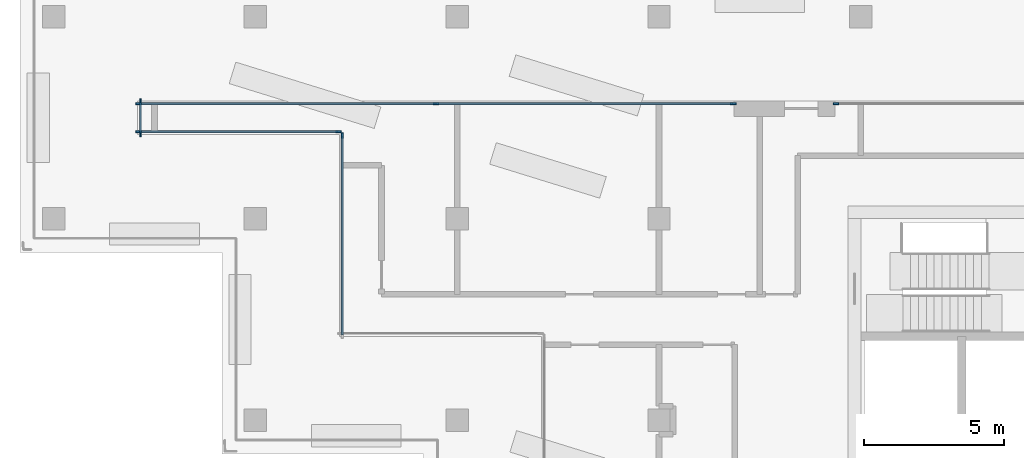
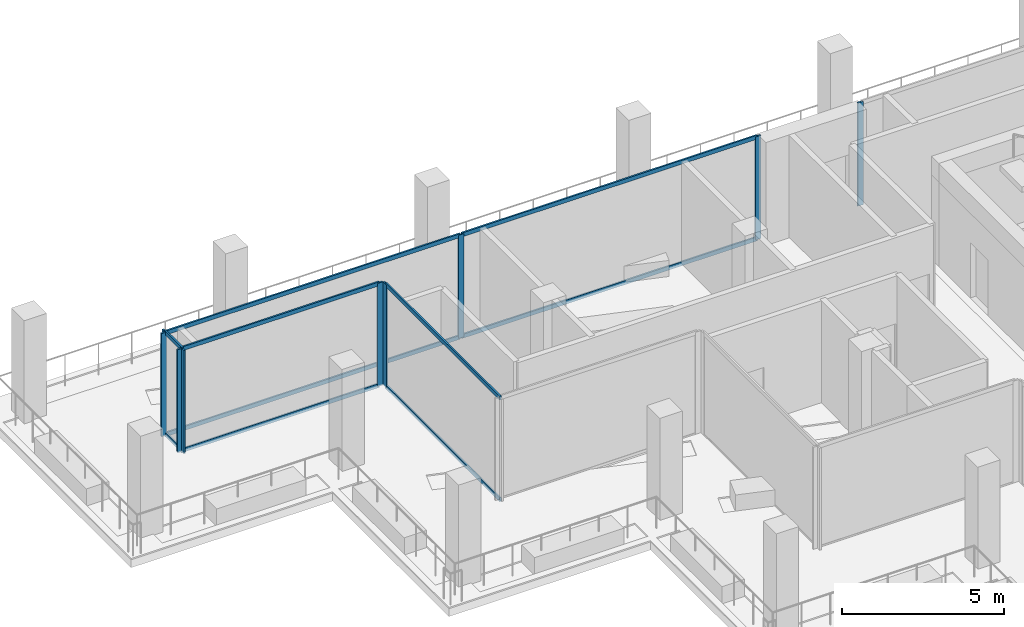
# One storey, part 5 of 20: 19 members, 5 elements without a shape of their own.
"""IFC4 building model written with IfcOpenShell, lengths in metres."""

import ifcopenshell
import ifcopenshell.guid

model = None  # the IFC model being written
_history = None  # IfcOwnerHistory: only IFC2X3 demands one
_inside = {}  # id of a spatial element -> (the spatial element, [elements in it])
_under = {}  # id of a project, library or spatial element -> (it, [spatial elements below it])
_declared = {}  # id of a project -> (the project, [libraries it declares])
_typed = {}  # id of a type object -> (the type object, [elements of that type])
_made_of = {}  # id of a material, layer set ... -> (it, [elements and type objects made of it])


def new_model(schema):
    """Start an empty IFC model of exactly this schema.

    Asked for "IFC4X3", IfcOpenShell would pick the latest addendum, in which some entities
    have other attributes; the version numbers below select the first issue.
    IFC2X3 requires an IfcOwnerHistory on every rooted entity: one is made here for all.
    """
    global model, _history
    if schema == "IFC4X3":
        model = ifcopenshell.file(schema_version=(4, 3, 0, 0))
    else:
        model = ifcopenshell.file(schema=schema)
    _inside.clear()
    _under.clear()
    _declared.clear()
    _typed.clear()
    _made_of.clear()
    _history = None
    if model.schema == "IFC2X3":
        org = make("IfcOrganization", Name="unknown")
        user = make(
            "IfcPersonAndOrganization",
            ThePerson=make("IfcPerson", FamilyName="unknown"),
            TheOrganization=org,
        )
        app = make(
            "IfcApplication",
            ApplicationDeveloper=org,
            Version="unknown",
            ApplicationFullName="unknown",
            ApplicationIdentifier="unknown",
        )
        _history = make(
            "IfcOwnerHistory",
            OwningUser=user,
            OwningApplication=app,
            ChangeAction="ADDED",
            CreationDate=0,
        )
    return model


def make(cls, **values):
    """One entity of the class cls with the attributes given. An attribute that is None is left unset."""
    return model.create_entity(
        cls, **{name: value for name, value in values.items() if value is not None}
    )


def rooted(cls, **values):
    """An entity with a GlobalId (a new one), such as an element, a storey or a relation."""
    return make(cls, GlobalId=ifcopenshell.guid.new(), OwnerHistory=_history, **values)


def si_unit(unit_type, name, prefix=None):
    """IfcSIUnit, for example si_unit("LENGTHUNIT", "METRE", prefix="MILLI")."""
    return make("IfcSIUnit", UnitType=unit_type, Prefix=prefix, Name=name)


def assignment(units):
    """IfcUnitAssignment: the units of a project."""
    return None if units is None else make("IfcUnitAssignment", Units=units)


def point(xyz):
    """IfcCartesianPoint."""
    return None if xyz is None else make("IfcCartesianPoint", Coordinates=xyz)


def direction(xyz):
    """IfcDirection."""
    return None if xyz is None else make("IfcDirection", DirectionRatios=xyz)


def frame(location, z_axis=None, x_axis=None):
    """IfcAxis2Placement3D, a coordinate frame: its origin and axes. An axis left out is left unset."""
    return make(
        "IfcAxis2Placement3D",
        Location=point(location),
        Axis=direction(z_axis),
        RefDirection=direction(x_axis),
    )


def frame_2d(location, x_axis=None):
    """IfcAxis2Placement2D, a coordinate frame in the plane: its origin and x axis."""
    return make(
        "IfcAxis2Placement2D", Location=point(location), RefDirection=direction(x_axis)
    )


def origin():
    """The frame at (0, 0, 0) with its axes left unset."""
    return frame((0.0, 0.0, 0.0))


def origin_2d():
    """The frame at (0, 0) in the plane with its x axis left unset."""
    return frame_2d((0.0, 0.0))


def place(relative_to, where):
    """IfcLocalPlacement: puts the frame where relative to a parent placement (None: the world)."""
    return make(
        "IfcLocalPlacement", PlacementRelTo=relative_to, RelativePlacement=where
    )


def context(
    kind, dimensions, precision=None, world=None, true_north=None, identifier=None
):
    """IfcGeometricRepresentationContext, for example the 3D "Model" context."""
    return make(
        "IfcGeometricRepresentationContext",
        ContextIdentifier=identifier,
        ContextType=kind,
        CoordinateSpaceDimension=dimensions,
        Precision=precision,
        WorldCoordinateSystem=world,
        TrueNorth=true_north,
    )


def subcontext(parent, identifier, kind, view, scale=None):
    """IfcGeometricRepresentationSubContext, for example "Body" below "Model"."""
    return make(
        "IfcGeometricRepresentationSubContext",
        ContextIdentifier=identifier,
        ContextType=kind,
        ParentContext=parent,
        TargetScale=scale,
        TargetView=view,
    )


def project(units=None, contexts=None):
    """IfcProject with its units and contexts."""
    return rooted(
        "IfcProject",
        Name="project",
        RepresentationContexts=contexts,
        UnitsInContext=assignment(units),
    )


def spatial(cls, under=None, at=None, **own):
    """A site, building, storey or space (cls), placed at a placement, below another one or the project."""
    s = rooted(cls, ObjectPlacement=at, **own)
    if under is not None:
        _under.setdefault(under.id(), (under, []))[1].append(s)
    return s


def profile(cls, at=None, kind="AREA", **sizes):
    """A parametric profile (cls). Its sizes go by their IFC names, for example OverallWidth=200.0."""
    return make(cls, ProfileType=kind, Position=at, **sizes)


def rectangle(**sizes):
    """IfcRectangleProfileDef."""
    return profile("IfcRectangleProfileDef", **sizes)


def extrude(swept, where, along, depth):
    """IfcExtrudedAreaSolid: the profile swept, set in the frame where, extruded along a direction by depth."""
    return make(
        "IfcExtrudedAreaSolid",
        SweptArea=swept,
        Position=where,
        ExtrudedDirection=direction(along),
        Depth=depth,
    )


def shape(context_of_items, identifier, shape_type, items):
    """IfcShapeRepresentation: the items that make up one representation, for example the "Body"."""
    return make(
        "IfcShapeRepresentation",
        ContextOfItems=context_of_items,
        RepresentationIdentifier=identifier,
        RepresentationType=shape_type,
        Items=items,
    )


def material(Name=None, Category=None):
    """IfcMaterial."""
    return make("IfcMaterial", Name=Name, Category=Category)


def material_profile(
    of_material, cross_section, Name=None, Category=None, Priority=None
):
    """IfcMaterialProfile: a cross section and its material."""
    return make(
        "IfcMaterialProfile",
        Name=Name,
        Material=of_material,
        Profile=cross_section,
        Priority=Priority,
        Category=Category,
    )


def profile_set(profiles, Name=None, composite=None):
    """IfcMaterialProfileSet."""
    return make(
        "IfcMaterialProfileSet",
        Name=Name,
        MaterialProfiles=profiles,
        CompositeProfile=composite,
    )


def made_of(thing, what):
    """Note that an element or type object is made of a material, layer set ...; save() writes the relation."""
    if what is not None:
        _made_of.setdefault(what.id(), (what, []))[1].append(thing)
    return thing


def type_object(cls, material=None, **own):
    """A type object (cls), such as IfcWallType, which elements share."""
    return made_of(rooted(cls, **own), material)


def element(
    cls,
    number,
    at=None,
    inside=None,
    cuts=None,
    type_object=None,
    material=None,
    context=None,
    identifier="Body",
    shape_type=None,
    held_by="IfcProductDefinitionShape",
    body=None,
    shapes=None,
    **own,
):
    """One element of the class cls, such as IfcWall. Its Tag is "e" and its number.

    at: its placement. inside: the storey or other place that contains it. cuts: it is an
    opening in that element (IfcRelVoidsElement). A single representation is given by context,
    identifier, shape_type and body (its items); several are given by shapes. held_by: the class
    of the entity that holds the representations. save() writes the other relations.
    """
    e = rooted(cls, Tag="e%d" % number, ObjectPlacement=at, **own)
    if body is not None:
        shapes = [shape(context, identifier, shape_type, body)]
    if shapes is not None:
        e.Representation = make(held_by, Representations=shapes)
    if inside is not None:
        _inside.setdefault(inside.id(), (inside, []))[1].append(e)
    if cuts is not None:
        rooted(
            "IfcRelVoidsElement", RelatingBuildingElement=cuts, RelatedOpeningElement=e
        )
    if type_object is not None:
        _typed.setdefault(type_object.id(), (type_object, []))[1].append(e)
    return made_of(e, material)


def aggregate(whole, parts):
    """IfcRelAggregates: a whole, such as a stair, and the parts it consists of."""
    return rooted("IfcRelAggregates", RelatingObject=whole, RelatedObjects=parts)


def save(model, path):
    """Write the relations noted so far, then the file.

    IfcRelAggregates (storeys below a building ...), IfcRelContainedInSpatialStructure (elements
    in a storey), IfcRelDefinesByType, IfcRelAssociatesMaterial and IfcRelDeclares: one each for
    every whole, place, type object, material and project.
    """
    for whole, parts in _under.values():
        aggregate(whole, parts)
    for where, things in _inside.values():
        rooted(
            "IfcRelContainedInSpatialStructure",
            RelatedElements=things,
            RelatingStructure=where,
        )
    for kind, things in _typed.values():
        rooted("IfcRelDefinesByType", RelatedObjects=things, RelatingType=kind)
    for what, things in _made_of.values():
        rooted("IfcRelAssociatesMaterial", RelatedObjects=things, RelatingMaterial=what)
    for by, libraries in _declared.values():
        rooted("IfcRelDeclares", RelatingContext=by, RelatedDefinitions=libraries)
    model.write(path)


model = new_model("IFC4")

# Units and contexts
model_context = context("Model", 3, precision=1e-05, world=origin(), true_north=direction((0.0, 1.0)))
body_context = subcontext(model_context, "Body", "Model", "MODEL_VIEW")
ifc_project = project(units=[si_unit("LENGTHUNIT", "METRE"), si_unit("AREAUNIT", "SQUARE_METRE"), si_unit("VOLUMEUNIT", "CUBIC_METRE"), si_unit("PLANEANGLEUNIT", "RADIAN"), si_unit("MASSUNIT", "GRAM", prefix="KILO")], contexts=[model_context])

# Site, building, storey
site_placement = place(None, origin())
site = spatial("IfcSite", under=ifc_project, at=site_placement, CompositionType="ELEMENT")
building_placement = place(site_placement, origin())
building = spatial("IfcBuilding", under=site, at=building_placement, Name="Windrow Commons", CompositionType="ELEMENT")
storey_placement = place(building_placement, frame((0.0, 0.0, 239.6)))
storey = spatial("IfcBuildingStorey", under=building, at=storey_placement, Name="L65", CompositionType="ELEMENT", Elevation=239.6)

# Curtain wall, member
ifc_material_1 = material(Name="Clear laminated glass in Aluminium 6063-T6 anodised frame", Category="aluminium")
curtain_wall_type = type_object("IfcCurtainWallType", Name="Curtain wall CW2H sky lounge upper", PredefinedType="USERDEFINED", material=ifc_material_1)
placement = place(storey_placement, origin())
curtain_wall_1 = element("IfcCurtainWall", 1, at=placement, inside=storey, type_object=curtain_wall_type, Name="Curtain wall CW2H L65 4.1", ObjectType="UNITISED", PredefinedType="USERDEFINED")
ifc_material_2 = material(Name="Aluminium 6063-T6", Category="aluminium")
ifc_material_profile_1 = material_profile(ifc_material_2, rectangle(XDim=0.06, YDim=0.2, at=origin_2d()))
ifc_profile_set_1 = profile_set([ifc_material_profile_1], Name="Aluminium 6063-T6")
member_type_1 = type_object("IfcMemberType", Name="CW2H mullion 60x200", PredefinedType="MULLION", material=ifc_profile_set_1)
member_1_placement = place(storey_placement, frame((56.7084, 68.9, 0.0), z_axis=(0.0, 0.0, 1.0), x_axis=(0.0, -1.0, 0.0)))
member_1 = element("IfcMember", 2, at=member_1_placement, type_object=member_type_1, Name="CW2H mullion 3", PredefinedType="MULLION", context=body_context, shape_type="SweptSolid", body=[
    extrude(rectangle(XDim=0.06, YDim=0.2, at=origin_2d()), origin(), (0.0, 0.0, 1.0), 3.9),
])
aggregate(curtain_wall_1, [member_1])

# Curtain wall, members
curtain_wall_2 = element("IfcCurtainWall", 3, at=placement, inside=storey, type_object=curtain_wall_type, Name="Curtain wall CW2H L65 4.2", ObjectType="UNITISED", PredefinedType="USERDEFINED")
member_2_placement = place(storey_placement, frame((53.0484, 68.9, 0.0), z_axis=(0.0, 0.0, 1.0), x_axis=(0.0, -1.0, 0.0)))
member_2 = element("IfcMember", 4, at=member_2_placement, type_object=member_type_1, Name="CW2H mullion 1", PredefinedType="MULLION", context=body_context, shape_type="SweptSolid", body=[
    extrude(rectangle(XDim=0.06, YDim=0.2, at=origin_2d()), origin(), (0.0, 0.0, 1.0), 3.9),
])
member_3_placement = place(storey_placement, frame((42.4392, 68.9, 0.0), z_axis=(0.0, 0.0, 1.0), x_axis=(0.0, -1.0, 0.0)))
member_3 = element("IfcMember", 5, at=member_3_placement, type_object=member_type_1, Name="CW2H mullion 2", PredefinedType="MULLION", context=body_context, shape_type="SweptSolid", body=[
    extrude(rectangle(XDim=0.06, YDim=0.2, at=origin_2d()), origin(), (0.0, 0.0, 1.0), 3.9),
])
member_4_placement = place(storey_placement, frame((31.83, 68.9, 0.0), z_axis=(0.0, 0.0, 1.0), x_axis=(0.0, -1.0, 0.0)))
member_4 = element("IfcMember", 6, at=member_4_placement, type_object=member_type_1, Name="CW2H mullion 3", PredefinedType="MULLION", context=body_context, shape_type="SweptSolid", body=[
    extrude(rectangle(XDim=0.06, YDim=0.2, at=origin_2d()), origin(), (0.0, 0.0, 1.0), 3.9),
])

curtain_wall_3 = element("IfcCurtainWall", 7, at=placement, inside=storey, type_object=curtain_wall_type, Name="Curtain wall CW2H L65 5", ObjectType="UNITISED", PredefinedType="USERDEFINED")
member_5_placement = place(storey_placement, frame((31.9, 68.97, 0.0), z_axis=(0.0, 0.0, 1.0), x_axis=(1.0, 0.0, 0.0)))
member_5 = element("IfcMember", 8, at=member_5_placement, type_object=member_type_1, Name="CW2H mullion 1", PredefinedType="MULLION", context=body_context, shape_type="SweptSolid", body=[
    extrude(rectangle(XDim=0.06, YDim=0.2, at=origin_2d()), origin(), (0.0, 0.0, 1.0), 3.9),
])
member_6_placement = place(storey_placement, frame((31.9, 67.83, 0.0), z_axis=(0.0, 0.0, 1.0), x_axis=(1.0, 0.0, 0.0)))
member_6 = element("IfcMember", 9, at=member_6_placement, type_object=member_type_1, Name="CW2H mullion 2", PredefinedType="MULLION", context=body_context, shape_type="SweptSolid", body=[
    extrude(rectangle(XDim=0.06, YDim=0.2, at=origin_2d()), origin(), (0.0, 0.0, 1.0), 3.9),
])

curtain_wall_4 = element("IfcCurtainWall", 10, at=placement, inside=storey, type_object=curtain_wall_type, Name="Curtain wall CW2H L65 6", ObjectType="UNITISED", PredefinedType="USERDEFINED")
member_7_placement = place(storey_placement, frame((31.83, 67.9, 0.0), z_axis=(0.0, 0.0, 1.0), x_axis=(0.0, 1.0, 0.0)))
member_7 = element("IfcMember", 11, at=member_7_placement, type_object=member_type_1, Name="CW2H mullion 1", PredefinedType="MULLION", context=body_context, shape_type="SweptSolid", body=[
    extrude(rectangle(XDim=0.06, YDim=0.2, at=origin_2d()), origin(), (0.0, 0.0, 1.0), 3.9),
])
member_8_placement = place(storey_placement, frame((38.97, 67.9, 0.0), z_axis=(0.0, 0.0, 1.0), x_axis=(0.0, 1.0, 0.0)))
member_8 = element("IfcMember", 12, at=member_8_placement, type_object=member_type_1, Name="CW2H mullion 2", PredefinedType="MULLION", context=body_context, shape_type="SweptSolid", body=[
    extrude(rectangle(XDim=0.06, YDim=0.2, at=origin_2d()), origin(), (0.0, 0.0, 1.0), 3.9),
])

# Curtain wall, member
curtain_wall_5 = element("IfcCurtainWall", 13, at=placement, inside=storey, type_object=curtain_wall_type, Name="Curtain wall CW2H L65 7", ObjectType="UNITISED", PredefinedType="USERDEFINED")
member_9_placement = place(storey_placement, frame((39.1, 67.77, 0.0), z_axis=(0.0, 0.0, 1.0), x_axis=(1.0, 0.0, 0.0)))
member_9 = element("IfcMember", 14, at=member_9_placement, type_object=member_type_1, Name="CW2H mullion 1", PredefinedType="MULLION", context=body_context, shape_type="SweptSolid", body=[
    extrude(rectangle(XDim=0.06, YDim=0.2, at=origin_2d()), origin(), (0.0, 0.0, 1.0), 3.9),
])

# Member
ifc_material_3 = material(Name="Aluminium 6063-T6", Category="aluminium")
ifc_material_profile_2 = material_profile(ifc_material_3, rectangle(XDim=0.06, YDim=0.15, at=origin_2d()))
ifc_profile_set_2 = profile_set([ifc_material_profile_2], Name="Aluminium 6063-T6")
member_type_2 = type_object("IfcMemberType", Name="CW2H transom 60x150", PredefinedType="USERDEFINED", material=ifc_profile_set_2)
member_10_placement = place(storey_placement, frame((53.0184, 68.9, 0.03), z_axis=(-1.0, 0.0, 0.0), x_axis=(0.0, -1.0, 0.0)))
member_10 = element("IfcMember", 15, at=member_10_placement, type_object=member_type_2, Name="CW2H transom 1.1", ObjectType="TRANSOM", PredefinedType="USERDEFINED", context=body_context, shape_type="SweptSolid", body=[
    extrude(rectangle(XDim=0.06, YDim=0.15, at=origin_2d()), origin(), (0.0, 0.0, 1.0), 10.5492),
])

member_11_placement = place(storey_placement, frame((53.0184, 68.9, 3.87), z_axis=(-1.0, 0.0, 0.0), x_axis=(0.0, -1.0, 0.0)))
member_11 = element("IfcMember", 16, at=member_11_placement, type_object=member_type_2, Name="CW2H transom 1.2", ObjectType="TRANSOM", PredefinedType="USERDEFINED", context=body_context, shape_type="SweptSolid", body=[
    extrude(rectangle(XDim=0.06, YDim=0.15, at=origin_2d()), origin(), (0.0, 0.0, 1.0), 10.5492),
])

member_12_placement = place(storey_placement, frame((42.4092, 68.9, 0.03), z_axis=(-1.0, 0.0, 0.0), x_axis=(0.0, -1.0, 0.0)))
member_12 = element("IfcMember", 17, at=member_12_placement, type_object=member_type_2, Name="CW2H transom 2.1", ObjectType="TRANSOM", PredefinedType="USERDEFINED", context=body_context, shape_type="SweptSolid", body=[
    extrude(rectangle(XDim=0.06, YDim=0.15, at=origin_2d()), origin(), (0.0, 0.0, 1.0), 10.5492),
])

member_13_placement = place(storey_placement, frame((42.4092, 68.9, 3.87), z_axis=(-1.0, 0.0, 0.0), x_axis=(0.0, -1.0, 0.0)))
member_13 = element("IfcMember", 18, at=member_13_placement, type_object=member_type_2, Name="CW2H transom 2.2", ObjectType="TRANSOM", PredefinedType="USERDEFINED", context=body_context, shape_type="SweptSolid", body=[
    extrude(rectangle(XDim=0.06, YDim=0.15, at=origin_2d()), origin(), (0.0, 0.0, 1.0), 10.5492),
])

aggregate(curtain_wall_2, [member_2, member_3, member_4, member_10, member_11, member_12, member_13])

member_14_placement = place(storey_placement, frame((31.9, 68.94, 0.03), z_axis=(0.0, -1.0, 0.0), x_axis=(1.0, 0.0, 0.0)))
member_14 = element("IfcMember", 19, at=member_14_placement, type_object=member_type_2, Name="CW2H transom 1.1", ObjectType="TRANSOM", PredefinedType="USERDEFINED", context=body_context, shape_type="SweptSolid", body=[
    extrude(rectangle(XDim=0.06, YDim=0.15, at=origin_2d()), origin(), (0.0, 0.0, 1.0), 1.08),
])

member_15_placement = place(storey_placement, frame((31.9, 68.94, 3.87), z_axis=(0.0, -1.0, 0.0), x_axis=(1.0, 0.0, 0.0)))
member_15 = element("IfcMember", 20, at=member_15_placement, type_object=member_type_2, Name="CW2H transom 1.2", ObjectType="TRANSOM", PredefinedType="USERDEFINED", context=body_context, shape_type="SweptSolid", body=[
    extrude(rectangle(XDim=0.06, YDim=0.15, at=origin_2d()), origin(), (0.0, 0.0, 1.0), 1.08),
])

aggregate(curtain_wall_3, [member_5, member_6, member_14, member_15])

member_16_placement = place(storey_placement, frame((31.86, 67.9, 0.03), z_axis=(1.0, 0.0, 0.0), x_axis=(0.0, 1.0, 0.0)))
member_16 = element("IfcMember", 21, at=member_16_placement, type_object=member_type_2, Name="CW2H transom 1.1", ObjectType="TRANSOM", PredefinedType="USERDEFINED", context=body_context, shape_type="SweptSolid", body=[
    extrude(rectangle(XDim=0.06, YDim=0.15, at=origin_2d()), origin(), (0.0, 0.0, 1.0), 7.08),
])

member_17_placement = place(storey_placement, frame((31.86, 67.9, 3.87), z_axis=(1.0, 0.0, 0.0), x_axis=(0.0, 1.0, 0.0)))
member_17 = element("IfcMember", 22, at=member_17_placement, type_object=member_type_2, Name="CW2H transom 1.2", ObjectType="TRANSOM", PredefinedType="USERDEFINED", context=body_context, shape_type="SweptSolid", body=[
    extrude(rectangle(XDim=0.06, YDim=0.15, at=origin_2d()), origin(), (0.0, 0.0, 1.0), 7.08),
])

aggregate(curtain_wall_4, [member_7, member_8, member_16, member_17])

member_18_placement = place(storey_placement, frame((39.1, 67.74, 0.03), z_axis=(0.0, -1.0, 0.0), x_axis=(1.0, 0.0, 0.0)))
member_18 = element("IfcMember", 23, at=member_18_placement, type_object=member_type_2, Name="CW2H transom 1.1", ObjectType="TRANSOM", PredefinedType="USERDEFINED", context=body_context, shape_type="SweptSolid", body=[
    extrude(rectangle(XDim=0.06, YDim=0.15, at=origin_2d()), origin(), (0.0, 0.0, 1.0), 7.08),
])

member_19_placement = place(storey_placement, frame((39.1, 67.74, 3.87), z_axis=(0.0, -1.0, 0.0), x_axis=(1.0, 0.0, 0.0)))
member_19 = element("IfcMember", 24, at=member_19_placement, type_object=member_type_2, Name="CW2H transom 1.2", ObjectType="TRANSOM", PredefinedType="USERDEFINED", context=body_context, shape_type="SweptSolid", body=[
    extrude(rectangle(XDim=0.06, YDim=0.15, at=origin_2d()), origin(), (0.0, 0.0, 1.0), 7.08),
])

aggregate(curtain_wall_5, [member_9, member_18, member_19])

save(model, "model.ifc")
